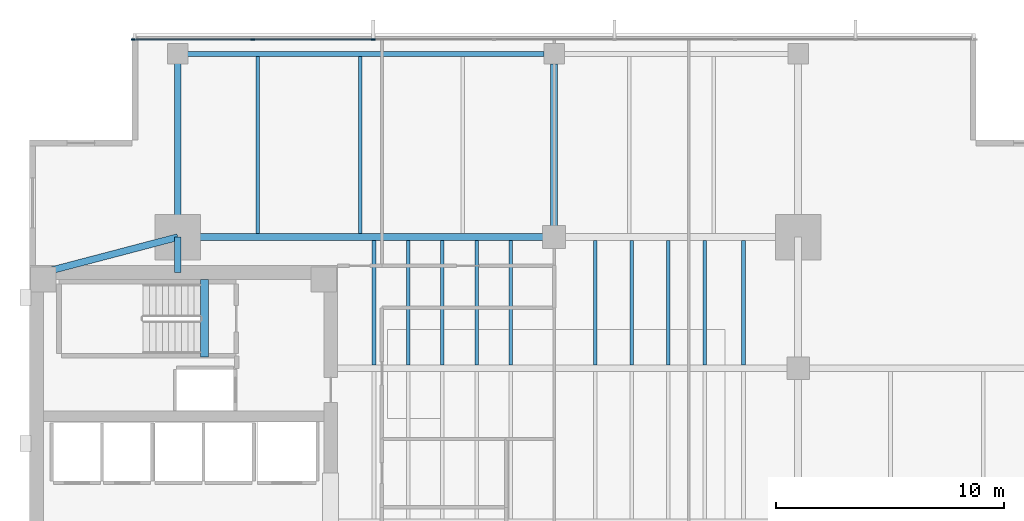
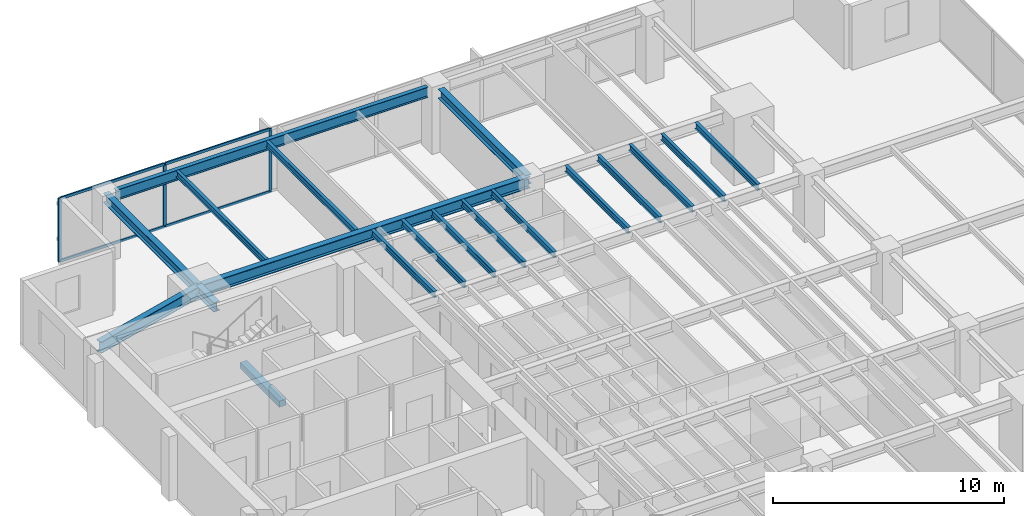
# One storey, part 5 of 14: 19 beams, 7 members, 1 element without a shape of its own.
"""IFC4 building model written with IfcOpenShell, lengths in metres."""

from ifc_helpers import new_model, si_unit, direction, frame, origin, origin_2d, place, context, subcontext, project, spatial, rectangle, i_section, extrude, material, layer, layer_set, material_profile, profile_set, type_object, element, aggregate, save


model = new_model("IFC4")

# Units and contexts
model_context = context("Model", 3, precision=1e-05, world=origin(), true_north=direction((0.0, 1.0)))
body_context = subcontext(model_context, "Body", "Model", "MODEL_VIEW")
ifc_project = project(units=[si_unit("LENGTHUNIT", "METRE"), si_unit("AREAUNIT", "SQUARE_METRE"), si_unit("VOLUMEUNIT", "CUBIC_METRE"), si_unit("PLANEANGLEUNIT", "RADIAN"), si_unit("MASSUNIT", "GRAM", prefix="KILO")], contexts=[model_context])

# Site, building, storey
site_placement = place(None, origin())
site = spatial("IfcSite", under=ifc_project, at=site_placement, CompositionType="ELEMENT")
building_placement = place(site_placement, origin())
building = spatial("IfcBuilding", under=site, at=building_placement, Name="Kinhvarn Gate Tower", CompositionType="ELEMENT")
storey_placement = place(building_placement, frame((0.0, 0.0, 137.75)))
storey = spatial("IfcBuildingStorey", under=building, at=storey_placement, Name="L36", CompositionType="ELEMENT", Elevation=137.75)

# Beam
ifc_material_1 = material(Name="Concrete C50/60", Category="concrete")
ifc_material_profile_1 = material_profile(ifc_material_1, rectangle(XDim=0.340087890625, YDim=0.320068359375, at=origin_2d()), Name="RC 340x320")
ifc_profile_set_1 = profile_set([ifc_material_profile_1], Name="Concrete C50/60")
beam_type_1 = type_object("IfcBeamType", Name="BM-LND-500", PredefinedType="BEAM", material=ifc_profile_set_1)
beam_1_placement = place(storey_placement, frame((12.1650390625, 32.5, -0.159912109375), z_axis=(0.0, 1.0, 0.0), x_axis=(-1.0, 0.0, 0.0)))
element("IfcBeam", 1, at=beam_1_placement, inside=storey, type_object=beam_type_1, Name="Stair ST2 Landing Nosing Beam (L36)", PredefinedType="BEAM", context=body_context, shape_type="SweptSolid", body=[
    extrude(rectangle(XDim=0.340087890625, YDim=0.320068359375, at=origin_2d()), origin(), (0.0, 0.0, 1.0), 3.39990234375),
])

# Curtain wall, members
ifc_material_2 = material(Name="Anodised aluminium AW-6063", Category="aluminium")
ifc_layer = layer(ifc_material_2, 0.179931640625)
ifc_layer_set = layer_set([ifc_layer], Name="Anodised aluminium AW-6063")
curtain_wall_type = type_object("IfcCurtainWallType", Name="CW-SYS-3", PredefinedType="NOTDEFINED", material=ifc_layer_set)
curtain_wall_placement = place(storey_placement, origin())
curtain_wall = element("IfcCurtainWall", 2, at=curtain_wall_placement, inside=storey, type_object=curtain_wall_type, Name="Curtain Wall CW3 (L36)", PredefinedType="NOTDEFINED")
ifc_material_profile_2 = material_profile(ifc_material_2, rectangle(XDim=0.06494140625, YDim=0.159912109375, at=origin_2d()), Name="ALU 65x160")
ifc_profile_set_2 = profile_set([ifc_material_profile_2], Name="Anodised aluminium AW-6063")
member_type_1 = type_object("IfcMemberType", Name="CW-MUL-160", PredefinedType="MULLION", material=ifc_profile_set_2)
member_1_placement = place(storey_placement, frame((19.571533203125, 46.409912109375, 0.0), z_axis=(0.0, 0.0, 1.0), x_axis=(0.0, -1.0, 0.0)))
member_1 = element("IfcMember", 3, at=member_1_placement, type_object=member_type_1, Name="CW3 mullion 6", PredefinedType="MULLION", context=body_context, shape_type="SweptSolid", body=[
    extrude(rectangle(XDim=0.06494140625, YDim=0.159912109375, at=origin_2d()), origin(), (0.0, 0.0, 1.0), 3.3701171875),
])
member_2_placement = place(storey_placement, frame((14.28564453125, 46.409912109375, 0.0), z_axis=(0.0, 0.0, 1.0), x_axis=(0.0, -1.0, 0.0)))
member_2 = element("IfcMember", 4, at=member_2_placement, type_object=member_type_1, Name="CW3 mullion 7", PredefinedType="MULLION", context=body_context, shape_type="SweptSolid", body=[
    extrude(rectangle(XDim=0.06494140625, YDim=0.159912109375, at=origin_2d()), origin(), (0.0, 0.0, 1.0), 3.3701171875),
])
member_3_placement = place(storey_placement, frame((9.032470703125, 46.409912109375, 0.0), z_axis=(0.0, 0.0, 1.0), x_axis=(0.0, -1.0, 0.0)))
member_3 = element("IfcMember", 5, at=member_3_placement, type_object=member_type_1, Name="CW3 mullion 8", PredefinedType="MULLION", context=body_context, shape_type="SweptSolid", body=[
    extrude(rectangle(XDim=0.06494140625, YDim=0.159912109375, at=origin_2d()), origin(), (0.0, 0.0, 1.0), 3.3701171875),
])
ifc_material_profile_3 = material_profile(ifc_material_2, rectangle(XDim=0.070068359375, YDim=0.139892578125, at=origin_2d()), Name="ALU 70x140")
ifc_profile_set_3 = profile_set([ifc_material_profile_3], Name="Anodised aluminium AW-6063")
member_type_2 = type_object("IfcMemberType", Name="CW-TRN-140", PredefinedType="USERDEFINED", material=ifc_profile_set_3)
member_4_placement = place(storey_placement, frame((19.538818359375, 46.409912109375, 0.034912109375), z_axis=(-1.0, 0.0, 0.0), x_axis=(0.0, -1.0, 0.0)))
member_4 = element("IfcMember", 6, at=member_4_placement, type_object=member_type_2, Name="CW3 transom 6.1", ObjectType="TRANSOM", PredefinedType="USERDEFINED", context=body_context, shape_type="SweptSolid", body=[
    extrude(rectangle(XDim=0.070068359375, YDim=0.139892578125, at=origin_2d()), origin(), (0.0, 0.0, 1.0), 5.220703125),
])
member_5_placement = place(storey_placement, frame((19.538818359375, 46.409912109375, 3.3349609375), z_axis=(-1.0, 0.0, 0.0), x_axis=(0.0, -1.0, 0.0)))
member_5 = element("IfcMember", 7, at=member_5_placement, type_object=member_type_2, Name="CW3 transom 6.2", ObjectType="TRANSOM", PredefinedType="USERDEFINED", context=body_context, shape_type="SweptSolid", body=[
    extrude(rectangle(XDim=0.070068359375, YDim=0.139892578125, at=origin_2d()), origin(), (0.0, 0.0, 1.0), 5.220703125),
])
member_6_placement = place(storey_placement, frame((14.253173828125, 46.409912109375, 0.034912109375), z_axis=(-1.0, 0.0, 0.0), x_axis=(0.0, -1.0, 0.0)))
member_6 = element("IfcMember", 8, at=member_6_placement, type_object=member_type_2, Name="CW3 transom 7.1", ObjectType="TRANSOM", PredefinedType="USERDEFINED", context=body_context, shape_type="SweptSolid", body=[
    extrude(rectangle(XDim=0.070068359375, YDim=0.139892578125, at=origin_2d()), origin(), (0.0, 0.0, 1.0), 5.188232421875),
])
member_7_placement = place(storey_placement, frame((14.253173828125, 46.409912109375, 3.3349609375), z_axis=(-1.0, 0.0, 0.0), x_axis=(0.0, -1.0, 0.0)))
member_7 = element("IfcMember", 9, at=member_7_placement, type_object=member_type_2, Name="CW3 transom 7.2", ObjectType="TRANSOM", PredefinedType="USERDEFINED", context=body_context, shape_type="SweptSolid", body=[
    extrude(rectangle(XDim=0.070068359375, YDim=0.139892578125, at=origin_2d()), origin(), (0.0, 0.0, 1.0), 5.188232421875),
])
aggregate(curtain_wall, [member_1, member_2, member_3, member_4, member_5, member_6, member_7])

# Beams
ifc_material_3 = material(Name="Steel S355", Category="steel")
ifc_material_profile_4 = material_profile(ifc_material_3, i_section(OverallWidth=0.300048828125, OverallDepth=0.5, WebThickness=0.014404296875, FlangeThickness=0.028076171875, at=origin_2d()), Name="HEB 500")
ifc_profile_set_4 = profile_set([ifc_material_profile_4], Name="Steel S355")
beam_type_2 = type_object("IfcBeamType", Name="STL-HEB500", PredefinedType="BEAM", material=ifc_profile_set_4)
beam_2_placement = place(storey_placement, frame((11.0, 36.199951171875, 3.1201171875), z_axis=(0.0, 1.0, 0.0), x_axis=(-1.0, 0.0, 0.0)))
element("IfcBeam", 10, at=beam_2_placement, inside=storey, type_object=beam_type_2, Name="Floor Beam PG-14 (L36 MCW-CN)", PredefinedType="BEAM", context=body_context, shape_type="SweptSolid", body=[
    extrude(i_section(OverallWidth=0.300048828125, OverallDepth=0.5, WebThickness=0.014404296875, FlangeThickness=0.028076171875, at=origin_2d()), origin(), (0.0, 0.0, 1.0), 1.550048828125),
])
beam_3_placement = place(storey_placement, frame((11.0, 37.75, 3.1201171875), z_axis=(0.0, 1.0, 0.0), x_axis=(-1.0, 0.0, 0.0)))
element("IfcBeam", 11, at=beam_3_placement, inside=storey, type_object=beam_type_2, Name="Floor Beam PG-14 (L36 MCW-N)", PredefinedType="BEAM", context=body_context, shape_type="SweptSolid", body=[
    extrude(i_section(OverallWidth=0.300048828125, OverallDepth=0.5, WebThickness=0.014404296875, FlangeThickness=0.028076171875, at=origin_2d()), origin(), (0.0, 0.0, 1.0), 8.030029296875),
])
beam_4_placement = place(storey_placement, frame((27.5, 37.75, 3.1201171875), z_axis=(0.0, 1.0, 0.0), x_axis=(-1.0, 0.0, 0.0)))
element("IfcBeam", 12, at=beam_4_placement, inside=storey, type_object=beam_type_2, Name="Floor Beam PG-14 (L36 SP27-N-TIE)", PredefinedType="BEAM", context=body_context, shape_type="SweptSolid", body=[
    extrude(i_section(OverallWidth=0.300048828125, OverallDepth=0.5, WebThickness=0.014404296875, FlangeThickness=0.028076171875, at=origin_2d()), origin(), (0.0, 0.0, 1.0), 7.594970703125),
])
ifc_material_profile_5 = material_profile(ifc_material_3, i_section(OverallWidth=0.300048828125, OverallDepth=0.60009765625, WebThickness=0.015380859375, FlangeThickness=0.030029296875, at=origin_2d()), Name="HEB 600")
ifc_profile_set_5 = profile_set([ifc_material_profile_5], Name="Steel S355")
beam_type_3 = type_object("IfcBeamType", Name="STL-HEB600", PredefinedType="BEAM", material=ifc_profile_set_5)
beam_5_placement = place(storey_placement, frame((11.0, 37.75, 3.070068359375), z_axis=(1.0, 0.0, 0.0), x_axis=(0.0, 1.0, 0.0)))
element("IfcBeam", 13, at=beam_5_placement, inside=storey, type_object=beam_type_3, Name="Floor Beam PG-16 (L36 MG-N1)", PredefinedType="BEAM", context=body_context, shape_type="SweptSolid", body=[
    extrude(i_section(OverallWidth=0.300048828125, OverallDepth=0.60009765625, WebThickness=0.015380859375, FlangeThickness=0.030029296875, at=origin_2d()), origin(), (0.0, 0.0, 1.0), 16.5),
])
beam_6_placement = place(storey_placement, frame((5.10009765625, 36.199951171875, 3.070068359375), z_axis=(0.967177623957, 0.254101246979, 0.0), x_axis=(-0.254101246979, 0.967177623957, 0.0)))
element("IfcBeam", 14, at=beam_6_placement, inside=storey, type_object=beam_type_3, Name="Floor Beam PG-16 (L36 MG-NW-DIAG)", PredefinedType="BEAM", context=body_context, shape_type="SweptSolid", body=[
    extrude(i_section(OverallWidth=0.300048828125, OverallDepth=0.60009765625, WebThickness=0.015380859375, FlangeThickness=0.030029296875, at=origin_2d()), origin(), (0.0, 0.0, 1.0), 6.10009765625),
])
ifc_material_profile_6 = material_profile(ifc_material_3, i_section(OverallWidth=0.159912109375, OverallDepth=0.330078125, WebThickness=0.007568359375, FlangeThickness=0.011474609375, at=origin_2d()), Name="IPE 330")
ifc_profile_set_6 = profile_set([ifc_material_profile_6], Name="Steel S355")
beam_type_4 = type_object("IfcBeamType", Name="STL-IPE330", PredefinedType="JOIST", material=ifc_profile_set_6)
for number, where, z_axis, x_axis, name in (
    (15, (19.60009765625, 32.14990234375, 3.205078125), (0.0, 1.0, 0.0), (-1.0, 0.0, 0.0), "Floor Joist SB-03 (L36 JC-X196-3)"),
    (16, (21.10009765625, 32.14990234375, 3.205078125), (0.0, 1.0, 0.0), (-1.0, 0.0, 0.0), "Floor Joist SB-03 (L36 JC-X211-3)"),
    (17, (22.60009765625, 32.14990234375, 3.205078125), (0.0, 1.0, 0.0), (-1.0, 0.0, 0.0), "Floor Joist SB-03 (L36 JC-X226-3)"),
    (18, (24.10009765625, 32.14990234375, 3.205078125), (0.0, 1.0, 0.0), (-1.0, 0.0, 0.0), "Floor Joist SB-03 (L36 JC-X241-3)"),
    (19, (25.60009765625, 32.14990234375, 3.205078125), (0.0, 1.0, 0.0), (-1.0, 0.0, 0.0), "Floor Joist SB-03 (L36 JC-X256-3)"),
    (20, (29.300048828125, 32.14990234375, 3.205078125), (0.0, 1.0, 0.0), (-1.0, 0.0, 0.0), "Floor Joist SB-03 (L36 JC-X293-3)"),
    (21, (30.89990234375, 32.14990234375, 3.205078125), (0.0, 1.0, 0.0), (-1.0, 0.0, 0.0), "Floor Joist SB-03 (L36 JC-X309-3)"),
    (22, (32.5, 32.14990234375, 3.205078125), (0.0, 1.0, 0.0), (-1.0, 0.0, 0.0), "Floor Joist SB-03 (L36 JC-X325-3)"),
    (23, (34.10009765625, 32.14990234375, 3.205078125), (0.0, 1.0, 0.0), (-1.0, 0.0, 0.0), "Floor Joist SB-03 (L36 JC-X341-3)"),
    (24, (35.800048828125, 32.14990234375, 3.205078125), (0.0, 1.0, 0.0), (-1.0, 0.0, 0.0), "Floor Joist SB-03 (L36 JC-X358-3)"),
):
    element("IfcBeam", number, at=place(storey_placement, frame(where, z_axis=z_axis, x_axis=x_axis)), inside=storey, type_object=beam_type_4, Name=name, PredefinedType="JOIST", context=body_context, shape_type="SweptSolid", body=[
        extrude(i_section(OverallWidth=0.159912109375, OverallDepth=0.330078125, WebThickness=0.007568359375, FlangeThickness=0.011474609375, at=origin_2d()), origin(), (0.0, 0.0, 1.0), 5.4501953125),
    ])
for number, where, z_axis, x_axis, name in (
    (25, (14.5, 37.89990234375, 3.205078125), (0.0, 1.0, 0.0), (-1.0, 0.0, 0.0), "Floor Joist SB-03 (L36 JN-X145)"),
    (26, (19.0, 37.89990234375, 3.205078125), (0.0, 1.0, 0.0), (-1.0, 0.0, 0.0), "Floor Joist SB-03 (L36 JN-X190)"),
):
    element("IfcBeam", number, at=place(storey_placement, frame(where, z_axis=z_axis, x_axis=x_axis)), inside=storey, type_object=beam_type_4, Name=name, PredefinedType="JOIST", context=body_context, shape_type="SweptSolid", body=[
        extrude(i_section(OverallWidth=0.159912109375, OverallDepth=0.330078125, WebThickness=0.007568359375, FlangeThickness=0.011474609375, at=origin_2d()), origin(), (0.0, 0.0, 1.0), 7.775146484375),
    ])
ifc_material_profile_7 = material_profile(ifc_material_3, i_section(OverallWidth=0.2099609375, OverallDepth=0.550048828125, WebThickness=0.010986328125, FlangeThickness=0.01708984375, at=origin_2d()), Name="IPE 550")
ifc_profile_set_7 = profile_set([ifc_material_profile_7], Name="Steel S355")
beam_type_5 = type_object("IfcBeamType", Name="STL-IPE550", PredefinedType="SPANDREL", material=ifc_profile_set_7)
beam_7_placement = place(storey_placement, frame((11.43505859375, 45.780029296875, 3.094970703125), z_axis=(1.0, 0.0, 0.0), x_axis=(0.0, 1.0, 0.0)))
element("IfcBeam", 27, at=beam_7_placement, inside=storey, type_object=beam_type_5, Name="Floor Spandrel SB-08 (L36 SP-N1)", PredefinedType="SPANDREL", context=body_context, shape_type="SweptSolid", body=[
    extrude(i_section(OverallWidth=0.2099609375, OverallDepth=0.550048828125, WebThickness=0.010986328125, FlangeThickness=0.01708984375, at=origin_2d()), origin(), (0.0, 0.0, 1.0), 15.6298828125),
])

save(model, "model.ifc")
